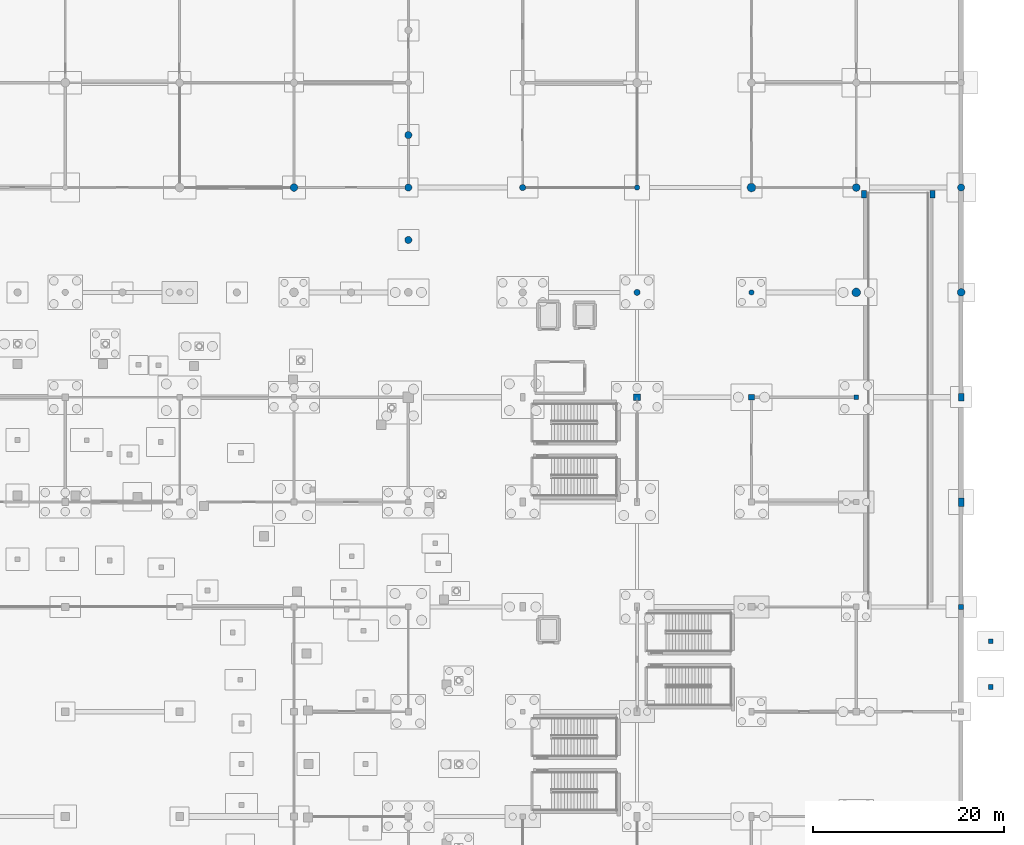
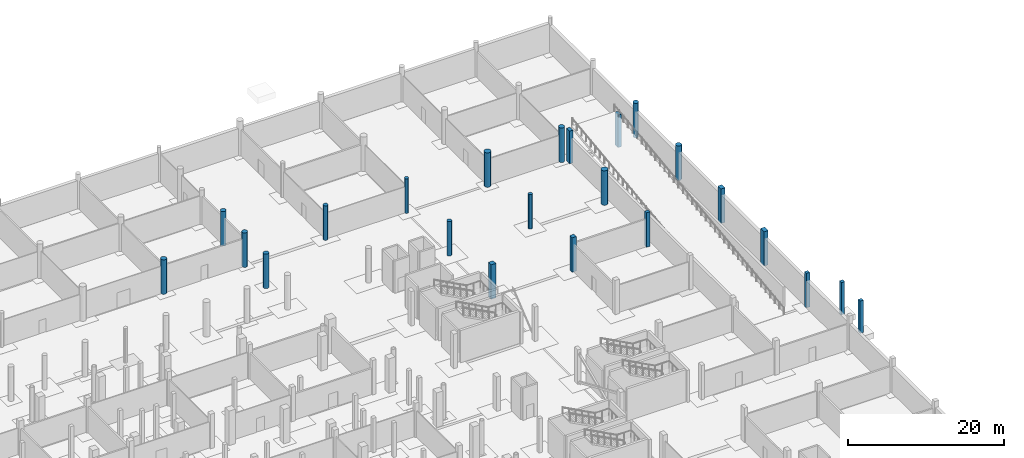
# One storey, part 22 of 60: 23 columns.
"""IFC4 building model written with IfcOpenShell, lengths in metres."""

from ifc_helpers import new_model, si_unit, direction, frame, origin, origin_2d, place, context, subcontext, project, spatial, rectangle, circle, extrude, material, material_profile, profile_set, type_object, element, save


model = new_model("IFC4")

# Units and contexts
model_context = context("Model", 3, precision=1e-05, world=origin(), true_north=direction((0.0, 1.0)))
body_context = subcontext(model_context, "Body", "Model", "MODEL_VIEW")
ifc_project = project(units=[si_unit("LENGTHUNIT", "METRE"), si_unit("AREAUNIT", "SQUARE_METRE"), si_unit("VOLUMEUNIT", "CUBIC_METRE"), si_unit("PLANEANGLEUNIT", "RADIAN"), si_unit("MASSUNIT", "GRAM", prefix="KILO")], contexts=[model_context])

# Site, building, storey
site_placement = place(None, origin())
site = spatial("IfcSite", under=ifc_project, at=site_placement, CompositionType="ELEMENT")
building_placement = place(site_placement, origin())
building = spatial("IfcBuilding", under=site, at=building_placement, Name="Luwafu Chhajja Arena", CompositionType="ELEMENT")
storey_placement = place(building_placement, frame((0.0, 0.0, -5.39990234375)))
storey = spatial("IfcBuildingStorey", under=building, at=storey_placement, Name="B1", CompositionType="ELEMENT", Elevation=-5.39990234375)

# Columns
ifc_material_1 = material(Name="Concrete C35/45", Category="concrete")
ifc_material_profile_1 = material_profile(ifc_material_1, rectangle(XDim=0.5, YDim=0.800048828125, at=origin_2d()), Name="RC 500x800")
ifc_profile_set_1 = profile_set([ifc_material_profile_1], Name="Concrete C35/45")
column_type_1 = type_object("IfcColumnType", Name="BOH Frame Column RC 500x800", PredefinedType="COLUMN", material=ifc_profile_set_1)
for number, where, z_axis, x_axis, name in (
    (1, (187.800048828125, 109.300048828125, 0.0), (0.0, 0.0, 1.0), (1.0, 0.0, 0.0), "B1 Ramp R1 Head Column W"),
    (2, (195.0, 109.300048828125, 0.0), (0.0, 0.0, 1.0), (1.0, 0.0, 0.0), "B1 Ramp R1 Head Column E"),
):
    element("IfcColumn", number, at=place(storey_placement, frame(where, z_axis=z_axis, x_axis=x_axis)), inside=storey, type_object=column_type_1, Name=name, PredefinedType="COLUMN", context=body_context, shape_type="SweptSolid", body=[
        extrude(rectangle(XDim=0.5, YDim=0.800048828125, at=origin_2d()), origin(), (0.0, 0.0, 1.0), 5.099853515625),
    ])
ifc_material_profile_2 = material_profile(ifc_material_1, circle(Radius=0.375, at=origin_2d()), Name="RC COL D750")
ifc_profile_set_2 = profile_set([ifc_material_profile_2], Name="Concrete C35/45")
column_type_2 = type_object("IfcColumnType", Name="Charbagh Cloister Pier D750", PredefinedType="COLUMN", material=ifc_profile_set_2)
for number, where, z_axis, x_axis, name in (
    (3, (140.0, 110.0, 0.0), (0.0, 0.0, 1.0), (1.0, 0.0, 0.0), "B1 Grid Column 13/L"),
    (4, (198.0, 110.0, 0.0), (0.0, 0.0, 1.0), (1.0, 0.0, 0.0), "B1 Grid Column 18/L"),
    (5, (140.0, 104.5, 0.0), (0.0, 0.0, 1.0), (1.0, 0.0, 0.0), "B1 Mughal Riwaq Colonnade Pier CHE09"),
    (6, (140.0, 115.5, 0.0), (0.0, 0.0, 1.0), (1.0, 0.0, 0.0), "B1 Mughal Riwaq Colonnade Pier CHE10"),
):
    element("IfcColumn", number, at=place(storey_placement, frame(where, z_axis=z_axis, x_axis=x_axis)), inside=storey, type_object=column_type_2, Name=name, PredefinedType="COLUMN", context=body_context, shape_type="SweptSolid", body=[
        extrude(circle(Radius=0.375, at=origin_2d()), origin(), (0.0, 0.0, 1.0), 5.39990234375),
    ])
ifc_material_profile_3 = material_profile(ifc_material_1, circle(Radius=0.324951171875, at=origin_2d()), Name="RC COL D650")
ifc_profile_set_3 = profile_set([ifc_material_profile_3], Name="Concrete C35/45")
column_type_3 = type_object("IfcColumnType", Name="Courtyard Arcade Pier D650", PredefinedType="COLUMN", material=ifc_profile_set_3)
for number, where, z_axis, x_axis, name in (
    (7, (152.0, 110.0, 0.0), (0.0, 0.0, 1.0), (1.0, 0.0, 0.0), "B1 Grid Column 14/L"),
    (8, (164.0, 99.0, 0.0), (0.0, 0.0, 1.0), (1.0, 0.0, 0.0), "B1 Grid Column 15/K"),
):
    element("IfcColumn", number, at=place(storey_placement, frame(where, z_axis=z_axis, x_axis=x_axis)), inside=storey, type_object=column_type_3, Name=name, PredefinedType="COLUMN", context=body_context, shape_type="SweptSolid", body=[
        extrude(circle(Radius=0.324951171875, at=origin_2d()), origin(), (0.0, 0.0, 1.0), 5.39990234375),
    ])
ifc_material_2 = material(Name="Concrete C40/50", Category="concrete")
ifc_material_profile_4 = material_profile(ifc_material_2, circle(Radius=0.39990234375, at=origin_2d()), Name="RC COL D800")
ifc_profile_set_4 = profile_set([ifc_material_profile_4], Name="Concrete C40/50")
column_type_4 = type_object("IfcColumnType", Name="Foyer Rotunda Pier D800", PredefinedType="COLUMN", material=ifc_profile_set_4)
for number, where, z_axis, x_axis, name in (
    (9, (128.0, 110.0, 0.0), (0.0, 0.0, 1.0), (1.0, 0.0, 0.0), "B1 Grid Column 12/L"),
    (10, (187.0, 110.0, 0.0), (0.0, 0.0, 1.0), (1.0, 0.0, 0.0), "B1 Grid Column 17/L"),
    (11, (198.0, 99.0, 0.0), (0.0, 0.0, 1.0), (1.0, 0.0, 0.0), "B1 Grid Column 18/K"),
):
    element("IfcColumn", number, at=place(storey_placement, frame(where, z_axis=z_axis, x_axis=x_axis)), inside=storey, type_object=column_type_4, Name=name, PredefinedType="COLUMN", context=body_context, shape_type="SweptSolid", body=[
        extrude(circle(Radius=0.39990234375, at=origin_2d()), origin(), (0.0, 0.0, 1.0), 5.39990234375),
    ])
ifc_material_profile_5 = material_profile(ifc_material_1, rectangle(XDim=0.60009765625, YDim=0.60009765625, at=origin_2d()), Name="RC 600x600")
ifc_profile_set_5 = profile_set([ifc_material_profile_5], Name="Concrete C35/45")
column_type_5 = type_object("IfcColumnType", Name="Mezzanine Column RC 600", PredefinedType="COLUMN", material=ifc_profile_set_5)
column_1_placement = place(storey_placement, frame((176.0, 88.0, 0.0), z_axis=(0.0, 0.0, 1.0), x_axis=(1.0, 0.0, 0.0)))
element("IfcColumn", 12, at=column_1_placement, inside=storey, type_object=column_type_5, Name="B1 Grid Column 16/J", PredefinedType="COLUMN", context=body_context, shape_type="SweptSolid", body=[
    extrude(rectangle(XDim=0.60009765625, YDim=0.60009765625, at=origin_2d()), origin(), (0.0, 0.0, 1.0), 5.39990234375),
])
ifc_material_profile_6 = material_profile(ifc_material_2, circle(Radius=0.449951171875, at=origin_2d()), Name="RC COL D900")
ifc_profile_set_6 = profile_set([ifc_material_profile_6], Name="Concrete C40/50")
column_type_6 = type_object("IfcColumnType", Name="Mughal Colonnade Drum Pier D900", PredefinedType="COLUMN", material=ifc_profile_set_6)
for number, where, z_axis, x_axis, name in (
    (13, (176.0, 110.0, 0.0), (0.0, 0.0, 1.0), (1.0, 0.0, 0.0), "B1 Grid Column 16/L"),
    (14, (187.0, 99.0, 0.0), (0.0, 0.0, 1.0), (1.0, 0.0, 0.0), "B1 Grid Column 17/K"),
):
    element("IfcColumn", number, at=place(storey_placement, frame(where, z_axis=z_axis, x_axis=x_axis)), inside=storey, type_object=column_type_6, Name=name, PredefinedType="COLUMN", context=body_context, shape_type="SweptSolid", body=[
        extrude(circle(Radius=0.449951171875, at=origin_2d()), origin(), (0.0, 0.0, 1.0), 5.39990234375),
    ])
ifc_material_profile_7 = material_profile(ifc_material_1, rectangle(XDim=0.5, YDim=0.5, at=origin_2d()), Name="RC 500x500")
ifc_profile_set_7 = profile_set([ifc_material_profile_7], Name="Concrete C35/45")
column_type_7 = type_object("IfcColumnType", Name="Pavilion Column RC 500", PredefinedType="COLUMN", material=ifc_profile_set_7)
for number, where, z_axis, x_axis, name in (
    (15, (187.0, 88.0, 0.0), (0.0, 0.0, 1.0), (1.0, 0.0, 0.0), "B1 Grid Column 17/J"),
    (16, (198.0, 66.0, 0.0), (0.0, 0.0, 1.0), (1.0, 0.0, 0.0), "B1 Grid Column 18/G"),
):
    element("IfcColumn", number, at=place(storey_placement, frame(where, z_axis=z_axis, x_axis=x_axis)), inside=storey, type_object=column_type_7, Name=name, PredefinedType="COLUMN", context=body_context, shape_type="SweptSolid", body=[
        extrude(rectangle(XDim=0.5, YDim=0.5, at=origin_2d()), origin(), (0.0, 0.0, 1.0), 5.39990234375),
    ])
for number, where, z_axis, x_axis, name in (
    (17, (201.10009765625, 57.60009765625, 0.0), (0.0, 0.0, 1.0), (1.0, 0.0, 0.0), "B1 Exit Apron Plinth Pier EST2-1"),
    (18, (201.10009765625, 62.39990234375, 0.0), (0.0, 0.0, 1.0), (1.0, 0.0, 0.0), "B1 Exit Apron Plinth Pier EST2-2"),
):
    element("IfcColumn", number, at=place(storey_placement, frame(where, z_axis=z_axis, x_axis=x_axis)), inside=storey, type_object=column_type_7, Name=name, PredefinedType="COLUMN", context=body_context, shape_type="SweptSolid", body=[
        extrude(rectangle(XDim=0.5, YDim=0.5, at=origin_2d()), origin(), (0.0, 0.0, 1.0), 5.0498046875),
    ])
ifc_material_profile_8 = material_profile(ifc_material_2, rectangle(XDim=0.60009765625, YDim=0.800048828125, at=origin_2d()), Name="RC 600x800")
ifc_profile_set_8 = profile_set([ifc_material_profile_8], Name="Concrete C40/50")
column_type_8 = type_object("IfcColumnType", Name="Pishtaq Pier Column RC 600x800", PredefinedType="COLUMN", material=ifc_profile_set_8)
column_2_placement = place(storey_placement, frame((198.0, 88.0, 0.0), z_axis=(0.0, 0.0, 1.0), x_axis=(1.0, 0.0, 0.0)))
element("IfcColumn", 19, at=column_2_placement, inside=storey, type_object=column_type_8, Name="B1 Grid Column 18/J", PredefinedType="COLUMN", context=body_context, shape_type="SweptSolid", body=[
    extrude(rectangle(XDim=0.60009765625, YDim=0.800048828125, at=origin_2d()), origin(), (0.0, 0.0, 1.0), 5.39990234375),
])
ifc_material_profile_9 = material_profile(ifc_material_1, circle(Radius=0.27490234375, at=origin_2d()), Name="RC COL D550")
ifc_profile_set_9 = profile_set([ifc_material_profile_9], Name="Concrete C35/45")
column_type_9 = type_object("IfcColumnType", Name="Terrace Loggia Pier D550", PredefinedType="COLUMN", material=ifc_profile_set_9)
for number, where, z_axis, x_axis, name in (
    (20, (164.0, 110.0, 0.0), (0.0, 0.0, 1.0), (1.0, 0.0, 0.0), "B1 Grid Column 15/L"),
    (21, (176.0, 99.0, 0.0), (0.0, 0.0, 1.0), (1.0, 0.0, 0.0), "B1 Grid Column 16/K"),
):
    element("IfcColumn", number, at=place(storey_placement, frame(where, z_axis=z_axis, x_axis=x_axis)), inside=storey, type_object=column_type_9, Name=name, PredefinedType="COLUMN", context=body_context, shape_type="SweptSolid", body=[
        extrude(circle(Radius=0.27490234375, at=origin_2d()), origin(), (0.0, 0.0, 1.0), 5.39990234375),
    ])
ifc_material_profile_10 = material_profile(ifc_material_2, rectangle(XDim=0.60009765625, YDim=0.89990234375, at=origin_2d()), Name="RC 600x900")
ifc_profile_set_10 = profile_set([ifc_material_profile_10], Name="Concrete C40/50")
column_type_10 = type_object("IfcColumnType", Name="Warm-Up Hall Portal Column RC 600x900", PredefinedType="COLUMN", material=ifc_profile_set_10)
column_3_placement = place(storey_placement, frame((198.0, 77.0, 0.0), z_axis=(0.0, 0.0, 1.0), x_axis=(1.0, 0.0, 0.0)))
element("IfcColumn", 22, at=column_3_placement, inside=storey, type_object=column_type_10, Name="B1 Grid Column 18/H", PredefinedType="COLUMN", context=body_context, shape_type="SweptSolid", body=[
    extrude(rectangle(XDim=0.60009765625, YDim=0.89990234375, at=origin_2d()), origin(), (0.0, 0.0, 1.0), 5.39990234375),
])
ifc_material_profile_11 = material_profile(ifc_material_1, rectangle(XDim=0.699951171875, YDim=0.699951171875, at=origin_2d()), Name="RC 700x700")
ifc_profile_set_11 = profile_set([ifc_material_profile_11], Name="Concrete C35/45")
column_type_11 = type_object("IfcColumnType", Name="Wing Frame Column RC 700", PredefinedType="COLUMN", material=ifc_profile_set_11)
column_4_placement = place(storey_placement, frame((164.0, 88.0, 0.0), z_axis=(0.0, 0.0, 1.0), x_axis=(1.0, 0.0, 0.0)))
element("IfcColumn", 23, at=column_4_placement, inside=storey, type_object=column_type_11, Name="B1 Grid Column 15/J", PredefinedType="COLUMN", context=body_context, shape_type="SweptSolid", body=[
    extrude(rectangle(XDim=0.699951171875, YDim=0.699951171875, at=origin_2d()), origin(), (0.0, 0.0, 1.0), 5.39990234375),
])

save(model, "model.ifc")
